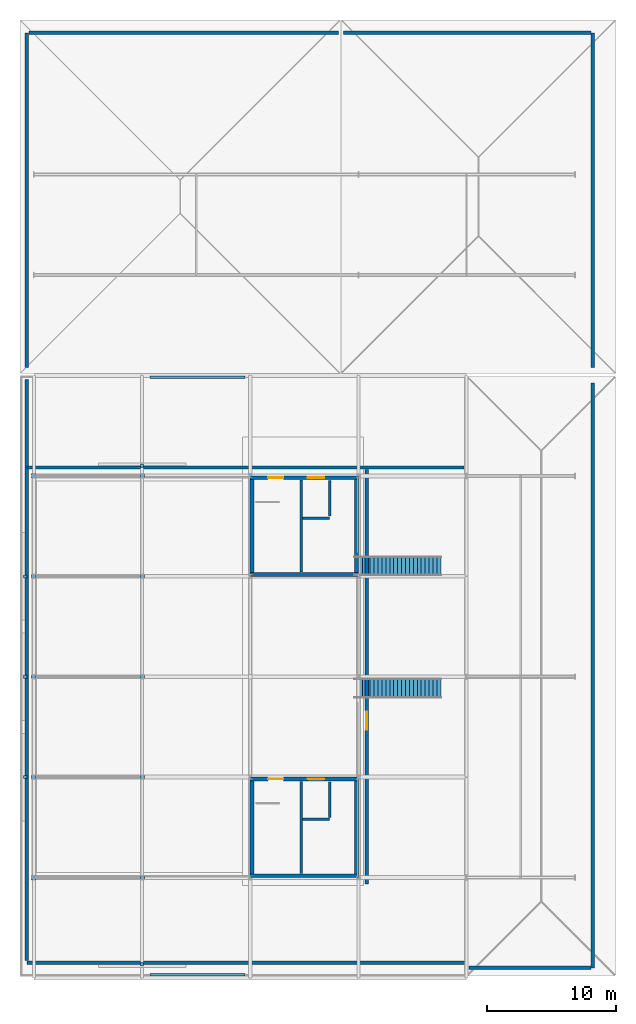
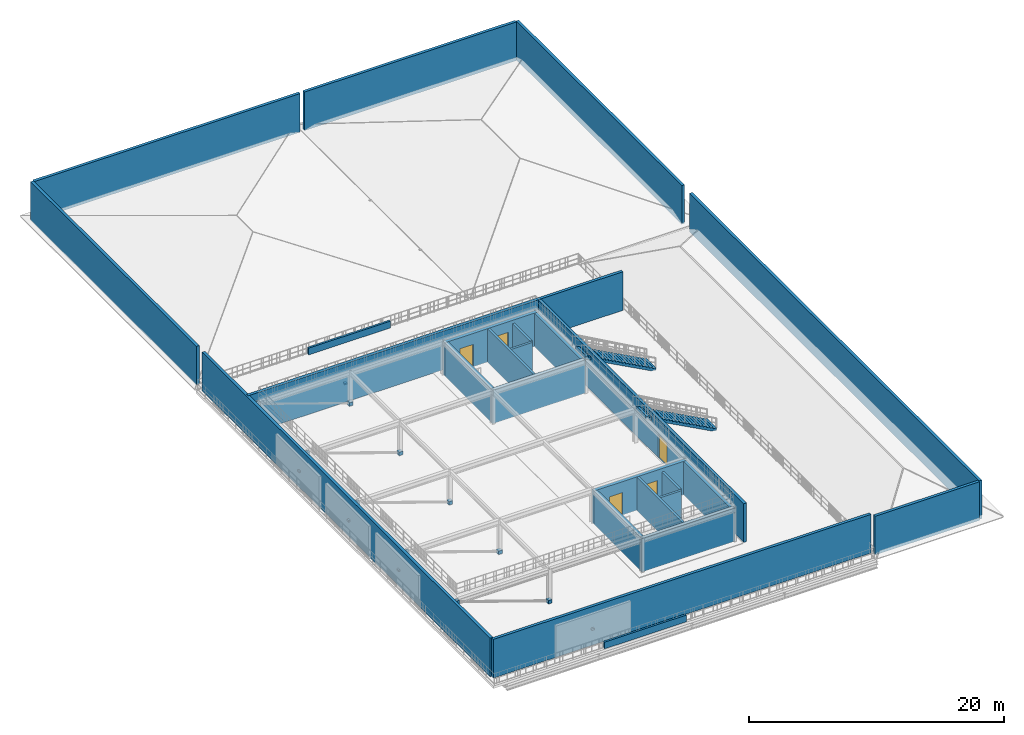
# One storey, part 7 of 16: 26 walls, 15 discrete accessories, 5 doors, 2 stair flights, 5 openings, 2 elements without a shape of their own.
"""IFC4 building model written with IfcOpenShell, lengths in metres."""

import ifcopenshell
import ifcopenshell.guid

model = None  # the IFC model being written
_history = None  # IfcOwnerHistory: only IFC2X3 demands one
_inside = {}  # id of a spatial element -> (the spatial element, [elements in it])
_under = {}  # id of a project, library or spatial element -> (it, [spatial elements below it])
_declared = {}  # id of a project -> (the project, [libraries it declares])
_typed = {}  # id of a type object -> (the type object, [elements of that type])
_made_of = {}  # id of a material, layer set ... -> (it, [elements and type objects made of it])


def new_model(schema):
    """Start an empty IFC model of exactly this schema.

    Asked for "IFC4X3", IfcOpenShell would pick the latest addendum, in which some entities
    have other attributes; the version numbers below select the first issue.
    IFC2X3 requires an IfcOwnerHistory on every rooted entity: one is made here for all.
    """
    global model, _history
    if schema == "IFC4X3":
        model = ifcopenshell.file(schema_version=(4, 3, 0, 0))
    else:
        model = ifcopenshell.file(schema=schema)
    _inside.clear()
    _under.clear()
    _declared.clear()
    _typed.clear()
    _made_of.clear()
    _history = None
    if model.schema == "IFC2X3":
        org = make("IfcOrganization", Name="unknown")
        user = make(
            "IfcPersonAndOrganization",
            ThePerson=make("IfcPerson", FamilyName="unknown"),
            TheOrganization=org,
        )
        app = make(
            "IfcApplication",
            ApplicationDeveloper=org,
            Version="unknown",
            ApplicationFullName="unknown",
            ApplicationIdentifier="unknown",
        )
        _history = make(
            "IfcOwnerHistory",
            OwningUser=user,
            OwningApplication=app,
            ChangeAction="ADDED",
            CreationDate=0,
        )
    return model


def make(cls, **values):
    """One entity of the class cls with the attributes given. An attribute that is None is left unset."""
    return model.create_entity(
        cls, **{name: value for name, value in values.items() if value is not None}
    )


def rooted(cls, **values):
    """An entity with a GlobalId (a new one), such as an element, a storey or a relation."""
    return make(cls, GlobalId=ifcopenshell.guid.new(), OwnerHistory=_history, **values)


def si_unit(unit_type, name, prefix=None):
    """IfcSIUnit, for example si_unit("LENGTHUNIT", "METRE", prefix="MILLI")."""
    return make("IfcSIUnit", UnitType=unit_type, Prefix=prefix, Name=name)


def assignment(units):
    """IfcUnitAssignment: the units of a project."""
    return None if units is None else make("IfcUnitAssignment", Units=units)


def point(xyz):
    """IfcCartesianPoint."""
    return None if xyz is None else make("IfcCartesianPoint", Coordinates=xyz)


def direction(xyz):
    """IfcDirection."""
    return None if xyz is None else make("IfcDirection", DirectionRatios=xyz)


def frame(location, z_axis=None, x_axis=None):
    """IfcAxis2Placement3D, a coordinate frame: its origin and axes. An axis left out is left unset."""
    return make(
        "IfcAxis2Placement3D",
        Location=point(location),
        Axis=direction(z_axis),
        RefDirection=direction(x_axis),
    )


def frame_2d(location, x_axis=None):
    """IfcAxis2Placement2D, a coordinate frame in the plane: its origin and x axis."""
    return make(
        "IfcAxis2Placement2D", Location=point(location), RefDirection=direction(x_axis)
    )


def origin():
    """The frame at (0, 0, 0) with its axes left unset."""
    return frame((0.0, 0.0, 0.0))


def origin_2d():
    """The frame at (0, 0) in the plane with its x axis left unset."""
    return frame_2d((0.0, 0.0))


def place(relative_to, where):
    """IfcLocalPlacement: puts the frame where relative to a parent placement (None: the world)."""
    return make(
        "IfcLocalPlacement", PlacementRelTo=relative_to, RelativePlacement=where
    )


def context(
    kind, dimensions, precision=None, world=None, true_north=None, identifier=None
):
    """IfcGeometricRepresentationContext, for example the 3D "Model" context."""
    return make(
        "IfcGeometricRepresentationContext",
        ContextIdentifier=identifier,
        ContextType=kind,
        CoordinateSpaceDimension=dimensions,
        Precision=precision,
        WorldCoordinateSystem=world,
        TrueNorth=true_north,
    )


def subcontext(parent, identifier, kind, view, scale=None):
    """IfcGeometricRepresentationSubContext, for example "Body" below "Model"."""
    return make(
        "IfcGeometricRepresentationSubContext",
        ContextIdentifier=identifier,
        ContextType=kind,
        ParentContext=parent,
        TargetScale=scale,
        TargetView=view,
    )


def project(units=None, contexts=None):
    """IfcProject with its units and contexts."""
    return rooted(
        "IfcProject",
        Name="project",
        RepresentationContexts=contexts,
        UnitsInContext=assignment(units),
    )


def spatial(cls, under=None, at=None, **own):
    """A site, building, storey or space (cls), placed at a placement, below another one or the project."""
    s = rooted(cls, ObjectPlacement=at, **own)
    if under is not None:
        _under.setdefault(under.id(), (under, []))[1].append(s)
    return s


def polyline(points):
    """IfcPolyline through the points."""
    return make("IfcPolyline", Points=[point(p) for p in points])


def profile(cls, at=None, kind="AREA", **sizes):
    """A parametric profile (cls). Its sizes go by their IFC names, for example OverallWidth=200.0."""
    return make(cls, ProfileType=kind, Position=at, **sizes)


def rectangle(**sizes):
    """IfcRectangleProfileDef."""
    return profile("IfcRectangleProfileDef", **sizes)


def outline(outer, holes=None, kind="AREA"):
    """IfcArbitraryClosedProfileDef: a profile drawn as a closed curve; with holes, ...WithVoids."""
    if holes is None:
        return make("IfcArbitraryClosedProfileDef", ProfileType=kind, OuterCurve=outer)
    return make(
        "IfcArbitraryProfileDefWithVoids",
        ProfileType=kind,
        OuterCurve=outer,
        InnerCurves=holes,
    )


def extrude(swept, where, along, depth):
    """IfcExtrudedAreaSolid: the profile swept, set in the frame where, extruded along a direction by depth."""
    return make(
        "IfcExtrudedAreaSolid",
        SweptArea=swept,
        Position=where,
        ExtrudedDirection=direction(along),
        Depth=depth,
    )


def shape(context_of_items, identifier, shape_type, items):
    """IfcShapeRepresentation: the items that make up one representation, for example the "Body"."""
    return make(
        "IfcShapeRepresentation",
        ContextOfItems=context_of_items,
        RepresentationIdentifier=identifier,
        RepresentationType=shape_type,
        Items=items,
    )


def material(Name=None, Category=None):
    """IfcMaterial."""
    return make("IfcMaterial", Name=Name, Category=Category)


def layer(
    of_material, thickness, ventilated=None, Name=None, Category=None, Priority=None
):
    """IfcMaterialLayer: one layer of a wall or slab, of a material (None: an air gap)."""
    return make(
        "IfcMaterialLayer",
        Material=of_material,
        LayerThickness=thickness,
        IsVentilated=ventilated,
        Name=Name,
        Category=Category,
        Priority=Priority,
    )


def layer_set(layers, Name=None):
    """IfcMaterialLayerSet."""
    return make("IfcMaterialLayerSet", MaterialLayers=layers, LayerSetName=Name)


def made_of(thing, what):
    """Note that an element or type object is made of a material, layer set ...; save() writes the relation."""
    if what is not None:
        _made_of.setdefault(what.id(), (what, []))[1].append(thing)
    return thing


def type_object(cls, material=None, **own):
    """A type object (cls), such as IfcWallType, which elements share."""
    return made_of(rooted(cls, **own), material)


def element(
    cls,
    number,
    at=None,
    inside=None,
    cuts=None,
    type_object=None,
    material=None,
    context=None,
    identifier="Body",
    shape_type=None,
    held_by="IfcProductDefinitionShape",
    body=None,
    shapes=None,
    **own,
):
    """One element of the class cls, such as IfcWall. Its Tag is "e" and its number.

    at: its placement. inside: the storey or other place that contains it. cuts: it is an
    opening in that element (IfcRelVoidsElement). A single representation is given by context,
    identifier, shape_type and body (its items); several are given by shapes. held_by: the class
    of the entity that holds the representations. save() writes the other relations.
    """
    e = rooted(cls, Tag="e%d" % number, ObjectPlacement=at, **own)
    if body is not None:
        shapes = [shape(context, identifier, shape_type, body)]
    if shapes is not None:
        e.Representation = make(held_by, Representations=shapes)
    if inside is not None:
        _inside.setdefault(inside.id(), (inside, []))[1].append(e)
    if cuts is not None:
        rooted(
            "IfcRelVoidsElement", RelatingBuildingElement=cuts, RelatedOpeningElement=e
        )
    if type_object is not None:
        _typed.setdefault(type_object.id(), (type_object, []))[1].append(e)
    return made_of(e, material)


def fill(opening, filler):
    """IfcRelFillsElement: the door or window that sits in an opening."""
    return rooted(
        "IfcRelFillsElement",
        RelatingOpeningElement=opening,
        RelatedBuildingElement=filler,
    )


def aggregate(whole, parts):
    """IfcRelAggregates: a whole, such as a stair, and the parts it consists of."""
    return rooted("IfcRelAggregates", RelatingObject=whole, RelatedObjects=parts)


def save(model, path):
    """Write the relations noted so far, then the file.

    IfcRelAggregates (storeys below a building ...), IfcRelContainedInSpatialStructure (elements
    in a storey), IfcRelDefinesByType, IfcRelAssociatesMaterial and IfcRelDeclares: one each for
    every whole, place, type object, material and project.
    """
    for whole, parts in _under.values():
        aggregate(whole, parts)
    for where, things in _inside.values():
        rooted(
            "IfcRelContainedInSpatialStructure",
            RelatedElements=things,
            RelatingStructure=where,
        )
    for kind, things in _typed.values():
        rooted("IfcRelDefinesByType", RelatedObjects=things, RelatingType=kind)
    for what, things in _made_of.values():
        rooted("IfcRelAssociatesMaterial", RelatedObjects=things, RelatingMaterial=what)
    for by, libraries in _declared.values():
        rooted("IfcRelDeclares", RelatingContext=by, RelatedDefinitions=libraries)
    model.write(path)


model = new_model("IFC4")

# Units and contexts
model_context = context("Model", 3, precision=1e-05, world=origin(), true_north=direction((0.0, 1.0)))
body_context = subcontext(model_context, "Body", "Model", "MODEL_VIEW")
ifc_project = project(units=[si_unit("LENGTHUNIT", "METRE"), si_unit("AREAUNIT", "SQUARE_METRE"), si_unit("VOLUMEUNIT", "CUBIC_METRE"), si_unit("PLANEANGLEUNIT", "RADIAN"), si_unit("MASSUNIT", "GRAM", prefix="KILO")], contexts=[model_context])

# Site, building, storey
site_placement = place(None, origin())
site = spatial("IfcSite", under=ifc_project, at=site_placement, CompositionType="ELEMENT")
building_placement = place(site_placement, origin())
building = spatial("IfcBuilding", under=site, at=building_placement, Name="Nabrawat Pavilion Hospital", CompositionType="ELEMENT")
storey_placement = place(building_placement, frame((0.0, 0.0, 35.10009765625)))
storey = spatial("IfcBuildingStorey", under=building, at=storey_placement, Name="Roof", CompositionType="ELEMENT", Elevation=35.10009765625)

# Walls
ifc_material_1 = material(Name="Concrete C35/45", Category="concrete")
ifc_layer_1 = layer(ifc_material_1, 0.199951171875, Name="Concrete C35/45")
ifc_layer_set_1 = layer_set([ifc_layer_1], Name="Concrete C35/45")
wall_type_1 = type_object("IfcWallType", Name="Lift and Riser Fire Shaft Wall 200", PredefinedType="PARTITIONING", material=ifc_layer_set_1)
wall_1_placement = place(storey_placement, frame((171.949951171875, 47.1201171875, 0.0), z_axis=(0.0, 0.0, 1.0), x_axis=(0.0, 1.0, 0.0)))
element("IfcWall", 1, at=wall_1_placement, inside=storey, type_object=wall_type_1, Name="Roof CORE-5 Stair-Lift Dividing Shear Wall", PredefinedType="SHEAR", context=body_context, shape_type="SweptSolid", body=[
    extrude(rectangle(XDim=7.159912109375, YDim=0.199951171875, at=frame_2d((3.580078125, 0.0))), origin(), (0.0, 0.0, 1.0), 3.199951171875),
])
wall_2_placement = place(storey_placement, frame((174.179931640625, 51.47998046875, 0.0), z_axis=(0.0, 0.0, 1.0), x_axis=(0.0, 1.0, 0.0)))
element("IfcWall", 2, at=wall_2_placement, inside=storey, type_object=wall_type_1, Name="Roof Lift LF-01 Shaft East Wall", PredefinedType="PARTITIONING", context=body_context, shape_type="SweptSolid", body=[
    extrude(rectangle(XDim=2.739990234375, YDim=0.199951171875, at=frame_2d((1.3701171875, 0.0))), origin(), (0.0, 0.0, 1.0), 2.949951171875),
])
wall_3_placement = place(storey_placement, frame((172.050048828125, 51.320068359375, 0.0), z_axis=(0.0, 0.0, 1.0), x_axis=(1.0, 0.0, 0.0)))
element("IfcWall", 3, at=wall_3_placement, inside=storey, type_object=wall_type_1, Name="Roof Lift LF-01 Shaft Back Wall", PredefinedType="PARTITIONING", context=body_context, shape_type="SweptSolid", body=[
    extrude(rectangle(XDim=2.099853515625, YDim=0.199951171875, at=frame_2d((1.0498046875, 0.0))), origin(), (0.0, 0.0, 1.0), 2.949951171875),
])
wall_4_placement = place(storey_placement, frame((171.949951171875, 70.52001953125, 0.0), z_axis=(0.0, 0.0, 1.0), x_axis=(0.0, 1.0, 0.0)))
element("IfcWall", 4, at=wall_4_placement, inside=storey, type_object=wall_type_1, Name="Roof CORE-6 Stair-Lift Dividing Shear Wall", PredefinedType="SHEAR", context=body_context, shape_type="SweptSolid", body=[
    extrude(rectangle(XDim=7.159912109375, YDim=0.199951171875, at=frame_2d((3.580078125, 0.0))), origin(), (0.0, 0.0, 1.0), 3.199951171875),
])
wall_5_placement = place(storey_placement, frame((174.179931640625, 74.8798828125, 0.0), z_axis=(0.0, 0.0, 1.0), x_axis=(0.0, 1.0, 0.0)))
element("IfcWall", 5, at=wall_5_placement, inside=storey, type_object=wall_type_1, Name="Roof Lift LF-02 Shaft East Wall", PredefinedType="PARTITIONING", context=body_context, shape_type="SweptSolid", body=[
    extrude(rectangle(XDim=2.740234375, YDim=0.199951171875, at=frame_2d((1.3701171875, 0.0))), origin(), (0.0, 0.0, 1.0), 2.949951171875),
])
wall_6_placement = place(storey_placement, frame((172.050048828125, 74.719970703125, 0.0), z_axis=(0.0, 0.0, 1.0), x_axis=(1.0, 0.0, 0.0)))
element("IfcWall", 6, at=wall_6_placement, inside=storey, type_object=wall_type_1, Name="Roof Lift LF-02 Shaft Back Wall", PredefinedType="PARTITIONING", context=body_context, shape_type="SweptSolid", body=[
    extrude(rectangle(XDim=2.099853515625, YDim=0.199951171875, at=frame_2d((1.0498046875, 0.0))), origin(), (0.0, 0.0, 1.0), 2.949951171875),
])
ifc_material_2 = material(Name="Precast concrete C40/50", Category="concrete")
ifc_layer_2 = layer(ifc_material_2, 0.179931640625, Name="Precast concrete C40/50")
ifc_layer_set_2 = layer_set([ifc_layer_2], Name="Precast concrete C40/50")
wall_type_2 = type_object("IfcWallType", Name="Precast Concrete Roof Parapet Upstand 180", PredefinedType="PARAPET", material=ifc_layer_set_2)
for number, where, z_axis, x_axis, name in (
    (7, (160.199951171875, 39.25, 0.0), (0.0, 0.0, 1.0), (1.0, 0.0, 0.0), "Roof Roof Edge Precast Parapet 05"),
    (8, (160.199951171875, 85.64990234375, 0.0), (0.0, 0.0, 1.0), (1.0, 0.0, 0.0), "Roof Roof Edge Precast Parapet 06"),
):
    element("IfcWall", number, at=place(storey_placement, frame(where, z_axis=z_axis, x_axis=x_axis)), inside=storey, type_object=wall_type_2, Name=name, PredefinedType="PARAPET", context=body_context, shape_type="SweptSolid", body=[
        extrude(rectangle(XDim=7.400146484375, YDim=0.179931640625, at=frame_2d((3.7001953125, 0.0))), origin(), (0.0, 0.0, 1.0), 0.64990234375),
    ])
ifc_material_3 = material(Name="Concrete C40/50", Category="concrete")
ifc_layer_3 = layer(ifc_material_3, 0.300048828125, Name="Concrete C40/50")
ifc_layer_set_3 = layer_set([ifc_layer_3], Name="Concrete C40/50")
wall_type_3 = type_object("IfcWallType", Name="Reinforced Concrete Core Shear Wall 300", PredefinedType="SHEAR", material=ifc_layer_set_3)
wall_7_placement = place(storey_placement, frame((168.0, 46.949951171875, 0.0), z_axis=(0.0, 0.0, 1.0), x_axis=(1.0, 0.0, 0.0)))
element("IfcWall", 9, at=wall_7_placement, inside=storey, type_object=wall_type_3, Name="Roof CORE-5 South Core Shear Wall", PredefinedType="SHEAR", context=body_context, shape_type="SweptSolid", body=[
    extrude(rectangle(XDim=8.39990234375, YDim=0.300048828125, at=frame_2d((4.199951171875, 0.0))), origin(), (0.0, 0.0, 1.0), 3.199951171875),
])

# Wall, openings, doors
wall_8_placement = place(storey_placement, frame((168.0, 54.449951171875, 0.0), z_axis=(0.0, 0.0, 1.0), x_axis=(1.0, 0.0, 0.0)))
wall_8 = element("IfcWall", 10, at=wall_8_placement, inside=storey, type_object=wall_type_3, Name="Roof CORE-5 North Core Shear Wall", PredefinedType="SHEAR", context=body_context, shape_type="SweptSolid", body=[
    extrude(rectangle(XDim=8.39990234375, YDim=0.300048828125, at=frame_2d((4.199951171875, 0.0))), origin(), (0.0, 0.0, 1.0), 3.199951171875),
])
opening_1_placement = place(wall_8_placement, frame((1.3798828125, 0.0, 0.0)))
opening_1 = element("IfcOpeningElement", 11, at=opening_1_placement, cuts=wall_8, Name="Opening D-STAIR", PredefinedType="OPENING", context=body_context, shape_type="SweptSolid", body=[
    extrude(rectangle(XDim=1.199951171875, YDim=2.14990234375, at=frame_2d((0.60009765625, 1.074951171875))), frame((0.0, 0.16015625, 0.0), z_axis=(0.0, -1.0, 0.0), x_axis=(1.0, 0.0, 0.0)), (0.0, 0.0, 1.0), 0.320068359375),
])
opening_2_placement = place(wall_8_placement, frame((4.449951171875, 0.0, 0.0)))
opening_2 = element("IfcOpeningElement", 12, at=opening_2_placement, cuts=wall_8, Name="Opening LD-LF-01", PredefinedType="OPENING", context=body_context, shape_type="SweptSolid", body=[
    extrude(rectangle(XDim=1.300048828125, YDim=2.199951171875, at=frame_2d((0.64990234375, 1.10009765625))), frame((0.0, 0.16015625, 0.0), z_axis=(0.0, -1.0, 0.0), x_axis=(1.0, 0.0, 0.0)), (0.0, 0.0, 1.0), 0.320068359375),
])
ifc_material_4 = material(Name="Stainless-Clad Acoustic Timber and Vision Glass", Category="wood")
door_type_1 = type_object("IfcDoorType", Name="D-STAIR Exit Stair Fire Door 1200x2150", OperationType="NOTDEFINED", PredefinedType="DOOR", material=ifc_material_4)
door_1_placement = place(opening_1_placement, origin())
door_1 = element("IfcDoor", 13, at=door_1_placement, inside=storey, type_object=door_type_1, Name="Roof ST-05 Fire Exit Stair Door", OperationType="SINGLE_SWING_RIGHT", OverallHeight=2.14990234375, OverallWidth=1.199951171875, PredefinedType="DOOR", context=body_context, shape_type="SweptSolid", body=[
    extrude(rectangle(XDim=1.199951171875, YDim=2.14990234375, at=frame_2d((0.60009765625, 1.074951171875))), frame((0.0, 0.02490234375, 0.0), z_axis=(0.0, -1.0, 0.0), x_axis=(1.0, 0.0, 0.0)), (0.0, 0.0, 1.0), 0.050048828125),
])
fill(opening_1, door_1)
door_type_2 = type_object("IfcDoorType", Name="Firefighting Lift Sliding Landing Door 1300x2200", OperationType="DOUBLE_DOOR_SLIDING", PredefinedType="DOOR", material=ifc_material_4)
door_2_placement = place(opening_2_placement, origin())
door_2 = element("IfcDoor", 14, at=door_2_placement, inside=storey, type_object=door_type_2, Name="Roof Lift LF-01 Sliding Landing Door", OperationType="DOUBLE_DOOR_SLIDING", OverallHeight=2.199951171875, OverallWidth=1.300048828125, PredefinedType="DOOR", context=body_context, shape_type="SweptSolid", body=[
    extrude(rectangle(XDim=1.300048828125, YDim=2.199951171875, at=frame_2d((0.64990234375, 1.10009765625))), frame((0.0, 0.02490234375, 0.0), z_axis=(0.0, -1.0, 0.0), x_axis=(1.0, 0.0, 0.0)), (0.0, 0.0, 1.0), 0.050048828125),
])
fill(opening_2, door_2)

# Walls
for number, where, z_axis, x_axis, name in (
    (15, (168.14990234375, 47.10009765625, 0.0), (0.0, 0.0, 1.0), (0.0, 1.0, 0.0), "Roof CORE-5 West Core Shear Wall"),
    (16, (176.25, 47.10009765625, 0.0), (0.0, 0.0, 1.0), (0.0, 1.0, 0.0), "Roof CORE-5 East Core Shear Wall"),
):
    element("IfcWall", number, at=place(storey_placement, frame(where, z_axis=z_axis, x_axis=x_axis)), inside=storey, type_object=wall_type_3, Name=name, PredefinedType="SHEAR", context=body_context, shape_type="SweptSolid", body=[
        extrude(rectangle(XDim=7.199951171875, YDim=0.300048828125, at=frame_2d((3.60009765625, 0.0))), origin(), (0.0, 0.0, 1.0), 3.199951171875),
    ])
wall_9_placement = place(storey_placement, frame((168.0, 70.35009765625, 0.0), z_axis=(0.0, 0.0, 1.0), x_axis=(1.0, 0.0, 0.0)))
element("IfcWall", 17, at=wall_9_placement, inside=storey, type_object=wall_type_3, Name="Roof CORE-6 South Core Shear Wall", PredefinedType="SHEAR", context=body_context, shape_type="SweptSolid", body=[
    extrude(rectangle(XDim=8.39990234375, YDim=0.300048828125, at=frame_2d((4.199951171875, 0.0))), origin(), (0.0, 0.0, 1.0), 3.199951171875),
])

# Wall, openings, doors
wall_10_placement = place(storey_placement, frame((168.0, 77.85009765625, 0.0), z_axis=(0.0, 0.0, 1.0), x_axis=(1.0, 0.0, 0.0)))
wall_10 = element("IfcWall", 18, at=wall_10_placement, inside=storey, type_object=wall_type_3, Name="Roof CORE-6 North Core Shear Wall", PredefinedType="SHEAR", context=body_context, shape_type="SweptSolid", body=[
    extrude(rectangle(XDim=8.39990234375, YDim=0.300048828125, at=frame_2d((4.199951171875, 0.0))), origin(), (0.0, 0.0, 1.0), 3.199951171875),
])
opening_3_placement = place(wall_10_placement, frame((1.3798828125, 0.0, 0.0)))
opening_3 = element("IfcOpeningElement", 19, at=opening_3_placement, cuts=wall_10, Name="Opening D-STAIR", PredefinedType="OPENING", context=body_context, shape_type="SweptSolid", body=[
    extrude(rectangle(XDim=1.199951171875, YDim=2.14990234375, at=frame_2d((0.60009765625, 1.074951171875))), frame((0.0, 0.16015625, 0.0), z_axis=(0.0, -1.0, 0.0), x_axis=(1.0, 0.0, 0.0)), (0.0, 0.0, 1.0), 0.320068359375),
])
opening_4_placement = place(wall_10_placement, frame((4.449951171875, 0.0, 0.0)))
opening_4 = element("IfcOpeningElement", 20, at=opening_4_placement, cuts=wall_10, Name="Opening LD-LF-02", PredefinedType="OPENING", context=body_context, shape_type="SweptSolid", body=[
    extrude(rectangle(XDim=1.300048828125, YDim=2.199951171875, at=frame_2d((0.64990234375, 1.10009765625))), frame((0.0, 0.16015625, 0.0), z_axis=(0.0, -1.0, 0.0), x_axis=(1.0, 0.0, 0.0)), (0.0, 0.0, 1.0), 0.320068359375),
])
door_3_placement = place(opening_3_placement, origin())
door_3 = element("IfcDoor", 21, at=door_3_placement, inside=storey, type_object=door_type_1, Name="Roof ST-06 Fire Exit Stair Door", OperationType="SINGLE_SWING_RIGHT", OverallHeight=2.14990234375, OverallWidth=1.199951171875, PredefinedType="DOOR", context=body_context, shape_type="SweptSolid", body=[
    extrude(rectangle(XDim=1.199951171875, YDim=2.14990234375, at=frame_2d((0.60009765625, 1.074951171875))), frame((0.0, 0.02490234375, 0.0), z_axis=(0.0, -1.0, 0.0), x_axis=(1.0, 0.0, 0.0)), (0.0, 0.0, 1.0), 0.050048828125),
])
fill(opening_3, door_3)
door_4_placement = place(opening_4_placement, origin())
door_4 = element("IfcDoor", 22, at=door_4_placement, inside=storey, type_object=door_type_2, Name="Roof Lift LF-02 Sliding Landing Door", OperationType="DOUBLE_DOOR_SLIDING", OverallHeight=2.199951171875, OverallWidth=1.300048828125, PredefinedType="DOOR", context=body_context, shape_type="SweptSolid", body=[
    extrude(rectangle(XDim=1.300048828125, YDim=2.199951171875, at=frame_2d((0.64990234375, 1.10009765625))), frame((0.0, 0.02490234375, 0.0), z_axis=(0.0, -1.0, 0.0), x_axis=(1.0, 0.0, 0.0)), (0.0, 0.0, 1.0), 0.050048828125),
])
fill(opening_4, door_4)

# Walls
for number, where, z_axis, x_axis, name in (
    (23, (168.14990234375, 70.5, 0.0), (0.0, 0.0, 1.0), (0.0, 1.0, 0.0), "Roof CORE-6 West Core Shear Wall"),
    (24, (176.25, 70.5, 0.0), (0.0, 0.0, 1.0), (0.0, 1.0, 0.0), "Roof CORE-6 East Core Shear Wall"),
):
    element("IfcWall", number, at=place(storey_placement, frame(where, z_axis=z_axis, x_axis=x_axis)), inside=storey, type_object=wall_type_3, Name=name, PredefinedType="SHEAR", context=body_context, shape_type="SweptSolid", body=[
        extrude(rectangle(XDim=7.199951171875, YDim=0.300048828125, at=frame_2d((3.60009765625, 0.0))), origin(), (0.0, 0.0, 1.0), 3.199951171875),
    ])
ifc_layer_4 = layer(ifc_material_2, 0.260009765625, Name="Precast concrete C40/50")
ifc_layer_set_4 = layer_set([ifc_layer_4], Name="Precast concrete C40/50")
wall_type_4 = type_object("IfcWallType", Name="Rooftop Headhouse Insulated Enclosure Wall 260", PredefinedType="SOLIDWALL", material=ifc_layer_set_4)
wall_11_placement = place(storey_placement, frame((150.64990234375, 40.199951171875, 0.0), z_axis=(0.0, 0.0, 1.0), x_axis=(1.0, 0.0, 0.0)))
element("IfcWall", 25, at=wall_11_placement, inside=storey, type_object=wall_type_4, Name="Roof Helipad and Pavilion Crown Enclosure Wall S", PredefinedType="SOLIDWALL", context=body_context, shape_type="SweptSolid", body=[
    extrude(rectangle(XDim=34.2001953125, YDim=0.260009765625, at=frame_2d((17.10009765625, 0.0))), origin(), (0.0, 0.0, 1.0), 3.699951171875),
])
wall_12_placement = place(storey_placement, frame((150.64990234375, 78.64990234375, 0.0), z_axis=(0.0, 0.0, 1.0), x_axis=(1.0, 0.0, 0.0)))
element("IfcWall", 26, at=wall_12_placement, inside=storey, type_object=wall_type_4, Name="Roof Helipad and Pavilion Crown Enclosure Wall N", PredefinedType="SOLIDWALL", context=body_context, shape_type="SweptSolid", body=[
    extrude(rectangle(XDim=33.9501953125, YDim=0.260009765625, at=frame_2d((16.97509765625, 0.0))), origin(), (0.0, 0.0, 1.0), 3.699951171875),
])
wall_13_placement = place(storey_placement, frame((150.64990234375, 40.35009765625, 0.0), z_axis=(0.0, 0.0, 1.0), x_axis=(0.0, 1.0, 0.0)))
element("IfcWall", 27, at=wall_13_placement, inside=storey, type_object=wall_type_4, Name="Roof Helipad and Pavilion Crown Enclosure Wall W", PredefinedType="SOLIDWALL", context=body_context, shape_type="SweptSolid", body=[
    extrude(rectangle(XDim=45.14990234375, YDim=0.260009765625, at=frame_2d((22.574951171875, 0.0))), origin(), (0.0, 0.0, 1.0), 3.699951171875),
])

# Wall, opening, door
wall_14_placement = place(storey_placement, frame((177.050048828125, 46.300048828125, 0.0), z_axis=(0.0, 0.0, 1.0), x_axis=(0.0, 1.0, 0.0)))
wall_14 = element("IfcWall", 28, at=wall_14_placement, inside=storey, type_object=wall_type_4, Name="Roof Helipad and Pavilion Crown Enclosure Wall E", PredefinedType="SOLIDWALL", context=body_context, shape_type="SweptSolid", body=[
    extrude(rectangle(XDim=32.199951171875, YDim=0.260009765625, at=frame_2d((16.10009765625, 0.0))), origin(), (0.0, 0.0, 1.0), 3.699951171875),
])
opening_5_placement = place(wall_14_placement, frame((12.0, 0.0, 0.0)))
opening_5 = element("IfcOpeningElement", 29, at=opening_5_placement, cuts=wall_14, Name="Opening ED-HLP-140", PredefinedType="OPENING", context=body_context, shape_type="SweptSolid", body=[
    extrude(rectangle(XDim=1.39990234375, YDim=2.199951171875, at=frame_2d((0.699951171875, 1.10009765625))), frame((0.0, 0.14013671875, 0.0), z_axis=(0.0, -1.0, 0.0), x_axis=(1.0, 0.0, 0.0)), (0.0, 0.0, 1.0), 0.280029296875),
])
ifc_material_5 = material(Name="Powder-Coated Galvanised Steel and Safety Glass", Category="steel")
door_type_3 = type_object("IfcDoorType", Name="Helipad Headhouse Emergency Exit Door 1400x2200", OperationType="NOTDEFINED", PredefinedType="DOOR", material=ifc_material_5)
door_5_placement = place(opening_5_placement, frame((1.39990234375, 0.0, 0.0), z_axis=(0.0, 0.0, 1.0), x_axis=(-1.0, 0.0, 0.0)))
door_5 = element("IfcDoor", 30, at=door_5_placement, inside=storey, type_object=door_type_3, Name="Roof Helipad Headhouse Access Door", OperationType="DOUBLE_DOOR_SINGLE_SWING", OverallHeight=2.199951171875, OverallWidth=1.39990234375, PredefinedType="DOOR", context=body_context, shape_type="SweptSolid", body=[
    extrude(rectangle(XDim=1.39990234375, YDim=2.199951171875, at=frame_2d((0.699951171875, 1.10009765625))), frame((0.0, 0.02490234375, 0.0), z_axis=(0.0, -1.0, 0.0), x_axis=(1.0, 0.0, 0.0)), (0.0, 0.0, 1.0), 0.050048828125),
])
fill(opening_5, door_5)

# Walls
wall_15_placement = place(storey_placement, frame((194.60009765625, 39.800048828125, 0.0), z_axis=(0.0, 0.0, 1.0), x_axis=(0.0, 1.0, 0.0)))
element("IfcWall", 31, at=wall_15_placement, inside=storey, type_object=wall_type_4, Name="Roof Helipad and Pavilion Crown Enclosure Wall V6C-E", PredefinedType="SOLIDWALL", context=body_context, shape_type="SweptSolid", body=[
    extrude(rectangle(XDim=45.39990234375, YDim=0.260009765625, at=frame_2d((22.699951171875, 0.0))), origin(), (0.0, 0.0, 1.0), 3.699951171875),
])
wall_16_placement = place(storey_placement, frame((185.0, 39.800048828125, 0.0), z_axis=(0.0, 0.0, 1.0), x_axis=(1.0, 0.0, 0.0)))
element("IfcWall", 32, at=wall_16_placement, inside=storey, type_object=wall_type_4, Name="Roof Helipad and Pavilion Crown Enclosure Wall V6C-S", PredefinedType="SOLIDWALL", context=body_context, shape_type="SweptSolid", body=[
    extrude(rectangle(XDim=9.449951171875, YDim=0.260009765625, at=frame_2d((4.72509765625, 0.0))), origin(), (0.0, 0.0, 1.0), 3.699951171875),
])
wall_17_placement = place(storey_placement, frame((150.64990234375, 86.39990234375, 0.0), z_axis=(0.0, 0.0, 1.0), x_axis=(0.0, 1.0, 0.0)))
element("IfcWall", 33, at=wall_17_placement, inside=storey, type_object=wall_type_4, Name="Roof Helipad and Pavilion Crown Enclosure Wall V6A-W", PredefinedType="SOLIDWALL", context=body_context, shape_type="SweptSolid", body=[
    extrude(rectangle(XDim=26.0, YDim=0.260009765625, at=frame_2d((13.0, 0.0))), origin(), (0.0, 0.0, 1.0), 3.699951171875),
])
wall_18_placement = place(storey_placement, frame((150.800048828125, 112.39990234375, 0.0), z_axis=(0.0, 0.0, 1.0), x_axis=(1.0, 0.0, 0.0)))
element("IfcWall", 34, at=wall_18_placement, inside=storey, type_object=wall_type_4, Name="Roof Helipad and Pavilion Crown Enclosure Wall V6A-N", PredefinedType="SOLIDWALL", context=body_context, shape_type="SweptSolid", body=[
    extrude(rectangle(XDim=24.050048828125, YDim=0.260009765625, at=frame_2d((12.02490234375, 0.0))), origin(), (0.0, 0.0, 1.0), 3.699951171875),
])
wall_19_placement = place(storey_placement, frame((175.25, 112.39990234375, 0.0), z_axis=(0.0, 0.0, 1.0), x_axis=(1.0, 0.0, 0.0)))
element("IfcWall", 35, at=wall_19_placement, inside=storey, type_object=wall_type_4, Name="Roof Helipad and Pavilion Crown Enclosure Wall V6B-N", PredefinedType="SOLIDWALL", context=body_context, shape_type="SweptSolid", body=[
    extrude(rectangle(XDim=19.199951171875, YDim=0.260009765625, at=frame_2d((9.60009765625, 0.0))), origin(), (0.0, 0.0, 1.0), 3.699951171875),
])
wall_20_placement = place(storey_placement, frame((194.60009765625, 86.39990234375, 0.0), z_axis=(0.0, 0.0, 1.0), x_axis=(0.0, 1.0, 0.0)))
element("IfcWall", 36, at=wall_20_placement, inside=storey, type_object=wall_type_4, Name="Roof Helipad and Pavilion Crown Enclosure Wall V6B-E", PredefinedType="SOLIDWALL", context=body_context, shape_type="SweptSolid", body=[
    extrude(rectangle(XDim=26.0, YDim=0.260009765625, at=frame_2d((13.0, 0.0))), origin(), (0.0, 0.0, 1.0), 3.699951171875),
])

# Stair, stair flight
ifc_material_6 = material(Name="Steel S355", Category="steel")
stair_type = type_object("IfcStairType", Name="Rooftop Helipad Dual Access Stair", PredefinedType="STRAIGHT_RUN_STAIR", material=ifc_material_6)
stair_1_placement = place(storey_placement, origin())
stair_1 = element("IfcStair", 37, at=stair_1_placement, inside=storey, type_object=stair_type, Name="Roof Helipad Primary South Access Stair", PredefinedType="STRAIGHT_RUN_STAIR")
stair_flight_type = type_object("IfcStairFlightType", Name="Helipad Access Steel Stair Flight 1500", PredefinedType="STRAIGHT", material=ifc_material_6)
stair_flight_1_placement = place(storey_placement, frame((182.800048828125, 61.5, 0.0), z_axis=(0.0, 0.0, 1.0), x_axis=(-1.0, 0.0, 0.0)))
stair_flight_1 = element("IfcStairFlight", 38, at=stair_flight_1_placement, type_object=stair_flight_type, Name="Roof Helipad Primary South Access Stair Flight", NumberOfRisers=22, NumberOfTreads=21, PredefinedType="STRAIGHT", RiserHeight=0.16364, TreadLength=0.305, context=body_context, shape_type="SweptSolid", body=[
    extrude(outline(polyline([(-0.008056640625, 0.0), (0.0, 0.0), (0.0, 0.16357421875), (0.304931640625, 0.16357421875), (0.304931640625, 0.327392578125), (0.610107421875, 0.327392578125), (0.610107421875, 0.490966796875), (0.9150390625, 0.490966796875), (0.9150390625, 0.654541015625), (1.219970703125, 0.654541015625), (1.219970703125, 0.818115234375), (1.52490234375, 0.818115234375), (1.52490234375, 0.98193359375), (1.830078125, 0.98193359375), (1.830078125, 1.1455078125), (2.135009765625, 1.1455078125), (2.135009765625, 1.30908203125), (2.43994140625, 1.30908203125), (2.43994140625, 1.47265625), (2.7451171875, 1.47265625), (2.7451171875, 1.636474609375), (3.050048828125, 1.636474609375), (3.050048828125, 1.800048828125), (3.35498046875, 1.800048828125), (3.35498046875, 1.963623046875), (3.659912109375, 1.963623046875), (3.659912109375, 2.12744140625), (3.965087890625, 2.12744140625), (3.965087890625, 2.291015625), (4.27001953125, 2.291015625), (4.27001953125, 2.45458984375), (4.574951171875, 2.45458984375), (4.574951171875, 2.6181640625), (4.8798828125, 2.6181640625), (4.8798828125, 2.781982421875), (5.18505859375, 2.781982421875), (5.18505859375, 2.945556640625), (5.489990234375, 2.945556640625), (5.489990234375, 3.109130859375), (5.794921875, 3.109130859375), (5.794921875, 3.272705078125), (6.10009765625, 3.272705078125), (6.10009765625, 3.4365234375), (6.405029296875, 3.4365234375), (6.405029296875, 3.60009765625), (6.4130859375, 3.60009765625), (6.4130859375, 3.400146484375), (6.405029296875, 3.20947265625), (0.4228515625, 0.0), (-0.008056640625, -0.1201171875), (-0.008056640625, 0.0)])), frame((0.0, 0.75, 0.0), z_axis=(0.0, -1.0, 0.0), x_axis=(1.0, 0.0, 0.0)), (0.0, 0.0, 1.0), 1.5),
])
aggregate(stair_1, [stair_flight_1])

stair_2_placement = place(storey_placement, origin())
stair_2 = element("IfcStair", 39, at=stair_2_placement, inside=storey, type_object=stair_type, Name="Roof Helipad Secondary North Escape Stair", PredefinedType="STRAIGHT_RUN_STAIR")
stair_flight_2_placement = place(storey_placement, frame((182.800048828125, 71.0, 0.0), z_axis=(0.0, 0.0, 1.0), x_axis=(-1.0, 0.0, 0.0)))
stair_flight_2 = element("IfcStairFlight", 40, at=stair_flight_2_placement, type_object=stair_flight_type, Name="Roof Helipad Secondary North Escape Stair Flight", NumberOfRisers=22, NumberOfTreads=21, PredefinedType="STRAIGHT", RiserHeight=0.16364, TreadLength=0.305, context=body_context, shape_type="SweptSolid", body=[
    extrude(outline(polyline([(-0.008056640625, 0.0), (0.0, 0.0), (0.0, 0.16357421875), (0.304931640625, 0.16357421875), (0.304931640625, 0.327392578125), (0.610107421875, 0.327392578125), (0.610107421875, 0.490966796875), (0.9150390625, 0.490966796875), (0.9150390625, 0.654541015625), (1.219970703125, 0.654541015625), (1.219970703125, 0.818115234375), (1.52490234375, 0.818115234375), (1.52490234375, 0.98193359375), (1.830078125, 0.98193359375), (1.830078125, 1.1455078125), (2.135009765625, 1.1455078125), (2.135009765625, 1.30908203125), (2.43994140625, 1.30908203125), (2.43994140625, 1.47265625), (2.7451171875, 1.47265625), (2.7451171875, 1.636474609375), (3.050048828125, 1.636474609375), (3.050048828125, 1.800048828125), (3.35498046875, 1.800048828125), (3.35498046875, 1.963623046875), (3.659912109375, 1.963623046875), (3.659912109375, 2.12744140625), (3.965087890625, 2.12744140625), (3.965087890625, 2.291015625), (4.27001953125, 2.291015625), (4.27001953125, 2.45458984375), (4.574951171875, 2.45458984375), (4.574951171875, 2.6181640625), (4.8798828125, 2.6181640625), (4.8798828125, 2.781982421875), (5.18505859375, 2.781982421875), (5.18505859375, 2.945556640625), (5.489990234375, 2.945556640625), (5.489990234375, 3.109130859375), (5.794921875, 3.109130859375), (5.794921875, 3.272705078125), (6.10009765625, 3.272705078125), (6.10009765625, 3.4365234375), (6.405029296875, 3.4365234375), (6.405029296875, 3.60009765625), (6.4130859375, 3.60009765625), (6.4130859375, 3.400146484375), (6.405029296875, 3.20947265625), (0.4228515625, 0.0), (-0.008056640625, -0.1201171875), (-0.008056640625, 0.0)])), frame((0.0, 0.75, 0.0), z_axis=(0.0, -1.0, 0.0), x_axis=(1.0, 0.0, 0.0)), (0.0, 0.0, 1.0), 1.5),
])
aggregate(stair_2, [stair_flight_2])

# Discrete accessories
ifc_layer_5 = layer(ifc_material_6, 0.02001953125, Name="Steel S355")
ifc_layer_set_5 = layer_set([ifc_layer_5], Name="Steel S355")
discrete_accessory_type_1 = type_object("IfcDiscreteAccessoryType", Name="Brace and Strut Gusset End Bracket 20", PredefinedType="BRACKET", material=ifc_layer_set_5)
for number, where, z_axis, x_axis, name in (
    (41, (159.60009765625, 46.800048828125, 0.02978515625), (0.0, 0.0, 1.0), (1.0, 0.0, 0.0), "Roof Brace and Strut Gusset End Connection 0120"),
    (42, (151.199951171875, 46.800048828125, 2.8798828125), (0.0, 0.0, 1.0), (1.0, 0.0, 0.0), "Roof Brace and Strut Gusset End Connection 0121"),
    (43, (159.60009765625, 54.60009765625, 0.02978515625), (0.0, 0.0, 1.0), (1.0, 0.0, 0.0), "Roof Brace and Strut Gusset End Connection 0124"),
    (44, (151.199951171875, 54.60009765625, 2.8798828125), (0.0, 0.0, 1.0), (1.0, 0.0, 0.0), "Roof Brace and Strut Gusset End Connection 0125"),
    (45, (159.60009765625, 62.39990234375, 0.02978515625), (0.0, 0.0, 1.0), (1.0, 0.0, 0.0), "Roof Brace and Strut Gusset End Connection 0128"),
    (46, (151.199951171875, 62.39990234375, 2.8798828125), (0.0, 0.0, 1.0), (1.0, 0.0, 0.0), "Roof Brace and Strut Gusset End Connection 0129"),
    (47, (159.60009765625, 70.199951171875, 0.02978515625), (0.0, 0.0, 1.0), (1.0, 0.0, 0.0), "Roof Brace and Strut Gusset End Connection 0132"),
    (48, (151.199951171875, 70.199951171875, 2.8798828125), (0.0, 0.0, 1.0), (1.0, 0.0, 0.0), "Roof Brace and Strut Gusset End Connection 0133"),
    (49, (159.60009765625, 78.0, 0.02978515625), (0.0, 0.0, 1.0), (1.0, 0.0, 0.0), "Roof Brace and Strut Gusset End Connection 0136"),
    (50, (151.199951171875, 78.0, 2.8798828125), (0.0, 0.0, 1.0), (1.0, 0.0, 0.0), "Roof Brace and Strut Gusset End Connection 0137"),
):
    element("IfcDiscreteAccessory", number, at=place(storey_placement, frame(where, z_axis=z_axis, x_axis=x_axis)), inside=storey, type_object=discrete_accessory_type_1, Name=name, PredefinedType="BRACKET", context=body_context, shape_type="SweptSolid", body=[
        extrude(rectangle(XDim=0.340087890625, YDim=0.340087890625, at=origin_2d()), origin(), (0.0, 0.0, 1.0), 0.340087890625),
    ])
ifc_layer_6 = layer(ifc_material_6, 0.159912109375, Name="Steel S355")
ifc_layer_set_6 = layer_set([ifc_layer_6], Name="Steel S355")
discrete_accessory_type_2 = type_object("IfcDiscreteAccessoryType", Name="Facade Shading Support Steel Bracket", PredefinedType="BRACKET", material=ifc_layer_set_6)
for number, where, z_axis, x_axis, name in (
    (51, (150.52001953125, 54.60009765625, 1.5400390625), (0.0, 0.0, 1.0), (0.0, 1.0, 0.0), "Roof Helipad Louver Support Bracket 01"),
    (52, (150.52001953125, 62.39990234375, 1.5400390625), (0.0, 0.0, 1.0), (0.0, 1.0, 0.0), "Roof Helipad Louver Support Bracket 02"),
    (53, (150.52001953125, 70.199951171875, 1.5400390625), (0.0, 0.0, 1.0), (0.0, 1.0, 0.0), "Roof Helipad Louver Support Bracket 03"),
    (54, (159.60009765625, 40.070068359375, 1.5400390625), (0.0, 0.0, 1.0), (1.0, 0.0, 0.0), "Roof Helipad Louver Support Bracket 04"),
    (55, (159.60009765625, 78.780029296875, 1.5400390625), (0.0, 0.0, 1.0), (1.0, 0.0, 0.0), "Roof Helipad Louver Support Bracket 05"),
):
    element("IfcDiscreteAccessory", number, at=place(storey_placement, frame(where, z_axis=z_axis, x_axis=x_axis)), inside=storey, type_object=discrete_accessory_type_2, Name=name, PredefinedType="BRACKET", context=body_context, shape_type="SweptSolid", body=[
        extrude(rectangle(XDim=0.239990234375, YDim=0.280029296875, at=origin_2d()), origin(), (0.0, 0.0, 1.0), 0.159912109375),
    ])

save(model, "model.ifc")
